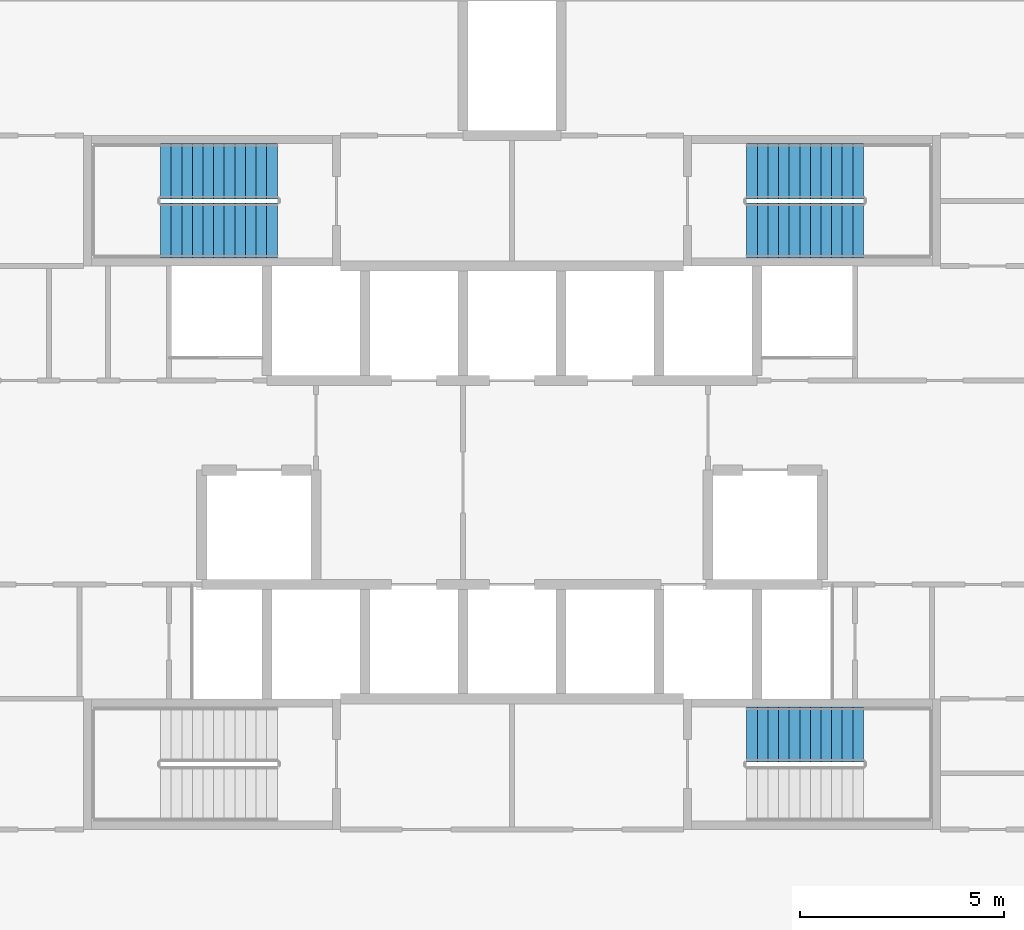
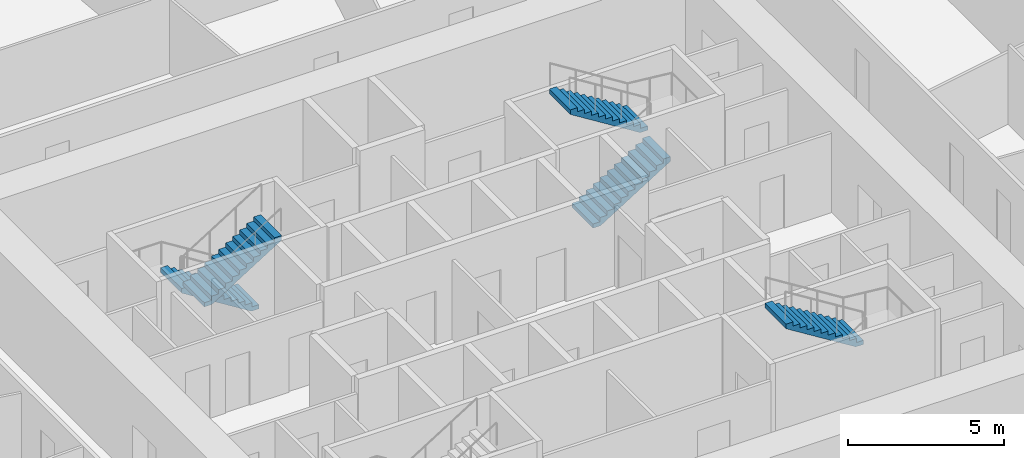
# One storey, part 10 of 11: 5 stair flights, 3 elements without a shape of their own.
"""IFC4 building model written with IfcOpenShell, lengths in metres."""

from ifc_helpers import new_model, si_unit, direction, frame, origin, place, context, subcontext, project, spatial, polyline, outline, extrude, source, transform, mapped, material, type_object, element, aggregate, save


model = new_model("IFC4")

# Units and contexts
model_context = context("Model", 3, precision=1e-05, world=origin(), true_north=direction((0.0, 1.0)))
body_context = subcontext(model_context, "Body", "Model", "MODEL_VIEW")
ifc_project = project(units=[si_unit("LENGTHUNIT", "METRE"), si_unit("AREAUNIT", "SQUARE_METRE"), si_unit("VOLUMEUNIT", "CUBIC_METRE"), si_unit("PLANEANGLEUNIT", "RADIAN"), si_unit("MASSUNIT", "GRAM", prefix="KILO")], contexts=[model_context])

# Site, building, storey
site_placement = place(None, origin())
site = spatial("IfcSite", under=ifc_project, at=site_placement, CompositionType="ELEMENT")
building_placement = place(site_placement, origin())
building = spatial("IfcBuilding", under=site, at=building_placement, Name="Embergate Tower", CompositionType="ELEMENT")
storey_placement = place(building_placement, frame((0.0, 0.0, 69.800048828125)))
storey = spatial("IfcBuildingStorey", under=building, at=storey_placement, Name="L13", CompositionType="ELEMENT", Elevation=69.800048828125)

# Stair, stair flights
ifc_material_1 = material(Name="Exit stair")
stair_type = type_object("IfcStairType", Name="Exit stair", PredefinedType="HALF_TURN_STAIR", material=ifc_material_1)
stair_1_placement = place(storey_placement, origin())
stair_1 = element("IfcStair", 1, at=stair_1_placement, inside=storey, type_object=stair_type, Name="L13 Exit stair 1", PredefinedType="HALF_TURN_STAIR")
ifc_material_2 = material(Name="Concrete C40", Category="concrete")
stair_flight_type = type_object("IfcStairFlightType", Name="Stair flight reinforced concrete", PredefinedType="STRAIGHT", material=ifc_material_2)
shared_shape = source(origin(), body_context, "Body", "SweptSolid", [
    extrude(outline(polyline([(0.0, 0.0), (0.0, 0.16259765625), (0.260009765625, 0.16259765625), (0.260009765625, 0.324951171875), (0.52001953125, 0.324951171875), (0.52001953125, 0.487548828125), (0.780029296875, 0.487548828125), (0.780029296875, 0.64990234375), (1.0400390625, 0.64990234375), (1.0400390625, 0.8125), (1.300048828125, 0.8125), (1.300048828125, 0.97509765625), (1.56005859375, 0.97509765625), (1.56005859375, 1.137451171875), (1.820068359375, 1.137451171875), (1.820068359375, 1.300048828125), (2.080078125, 1.300048828125), (2.080078125, 1.46240234375), (2.340087890625, 1.46240234375), (2.340087890625, 1.625), (2.60009765625, 1.625), (2.60009765625, 1.78759765625), (2.860107421875, 1.78759765625), (2.860107421875, 1.949951171875), (2.860107421875, 1.61083984375), (0.28271484375, 0.0), (0.0, 0.0)])), frame((0.0, 0.675048828125, 0.0), z_axis=(0.0, -1.0, 0.0), x_axis=(1.0, 0.0, 0.0)), (0.0, 0.0, 1.0), 1.35009765625),
])
stair_flight_1_placement = place(storey_placement, frame((-5.75, 7.625, 0.0), z_axis=(0.0, 0.0, 1.0), x_axis=(-1.0, 0.0, 0.0)))
stair_flight_1 = element("IfcStairFlight", 2, at=stair_flight_1_placement, type_object=stair_flight_type, Name="ST1 flight 1", NumberOfRisers=12, NumberOfTreads=11, PredefinedType="STRAIGHT", RiserHeight=0.1625, TreadLength=0.26, context=body_context, shape_type="MappedRepresentation", body=[
    mapped(shared_shape, transform((0.0, 0.0, 0.0))),
])
stair_flight_2_placement = place(storey_placement, frame((-8.610107421875, 6.175048828125, 1.949951171875), z_axis=(0.0, 0.0, 1.0), x_axis=(1.0, 0.0, 0.0)))
stair_flight_2 = element("IfcStairFlight", 3, at=stair_flight_2_placement, type_object=stair_flight_type, Name="ST1 flight 2", NumberOfRisers=12, NumberOfTreads=11, PredefinedType="STRAIGHT", RiserHeight=0.1625, TreadLength=0.26, context=body_context, shape_type="MappedRepresentation", body=[
    mapped(shared_shape, transform((0.0, 0.0, 0.0))),
])
aggregate(stair_1, [stair_flight_1, stair_flight_2])

stair_2_placement = place(storey_placement, origin())
stair_2 = element("IfcStair", 4, at=stair_2_placement, inside=storey, type_object=stair_type, Name="L13 Exit stair 2", PredefinedType="HALF_TURN_STAIR")
stair_flight_3_placement = place(storey_placement, frame((5.75, 6.175048828125, 0.0), z_axis=(0.0, 0.0, 1.0), x_axis=(1.0, 0.0, 0.0)))
stair_flight_3 = element("IfcStairFlight", 5, at=stair_flight_3_placement, type_object=stair_flight_type, Name="ST2 flight 1", NumberOfRisers=12, NumberOfTreads=11, PredefinedType="STRAIGHT", RiserHeight=0.1625, TreadLength=0.26, context=body_context, shape_type="MappedRepresentation", body=[
    mapped(shared_shape, transform((0.0, 0.0, 0.0))),
])
stair_flight_4_placement = place(storey_placement, frame((8.610107421875, 7.625, 1.949951171875), z_axis=(0.0, 0.0, 1.0), x_axis=(-1.0, 0.0, 0.0)))
stair_flight_4 = element("IfcStairFlight", 6, at=stair_flight_4_placement, type_object=stair_flight_type, Name="ST2 flight 2", NumberOfRisers=12, NumberOfTreads=11, PredefinedType="STRAIGHT", RiserHeight=0.1625, TreadLength=0.26, context=body_context, shape_type="MappedRepresentation", body=[
    mapped(shared_shape, transform((0.0, 0.0, 0.0))),
])
aggregate(stair_2, [stair_flight_3, stair_flight_4])

# Stair, stair flight
stair_3_placement = place(storey_placement, origin())
stair_3 = element("IfcStair", 7, at=stair_3_placement, inside=storey, type_object=stair_type, Name="L13 Exit stair 4", PredefinedType="HALF_TURN_STAIR")
stair_flight_5_placement = place(storey_placement, frame((8.610107421875, -6.175048828125, 1.949951171875), z_axis=(0.0, 0.0, 1.0), x_axis=(-1.0, 0.0, 0.0)))
stair_flight_5 = element("IfcStairFlight", 8, at=stair_flight_5_placement, type_object=stair_flight_type, Name="ST4 flight 2", NumberOfRisers=12, NumberOfTreads=11, PredefinedType="STRAIGHT", RiserHeight=0.1625, TreadLength=0.26, context=body_context, shape_type="MappedRepresentation", body=[
    mapped(shared_shape, transform((0.0, 0.0, 0.0))),
])
aggregate(stair_3, [stair_flight_5])

save(model, "model.ifc")
